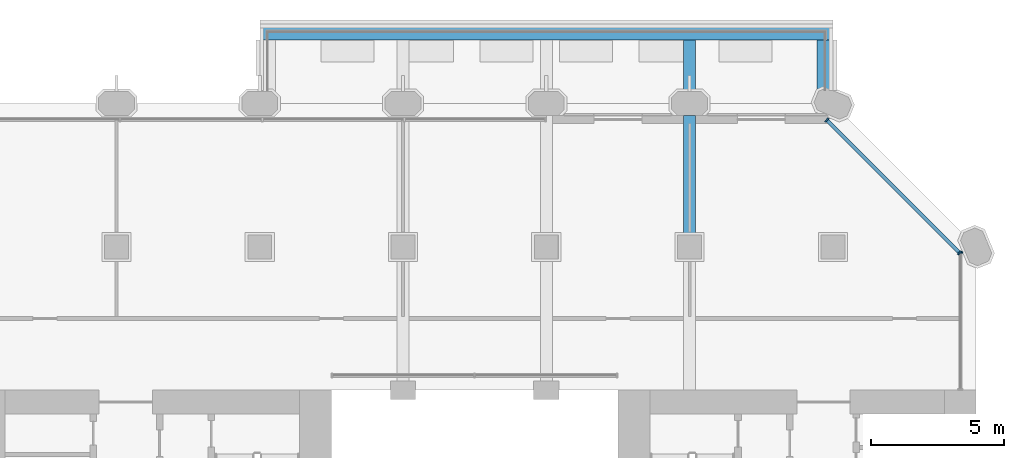
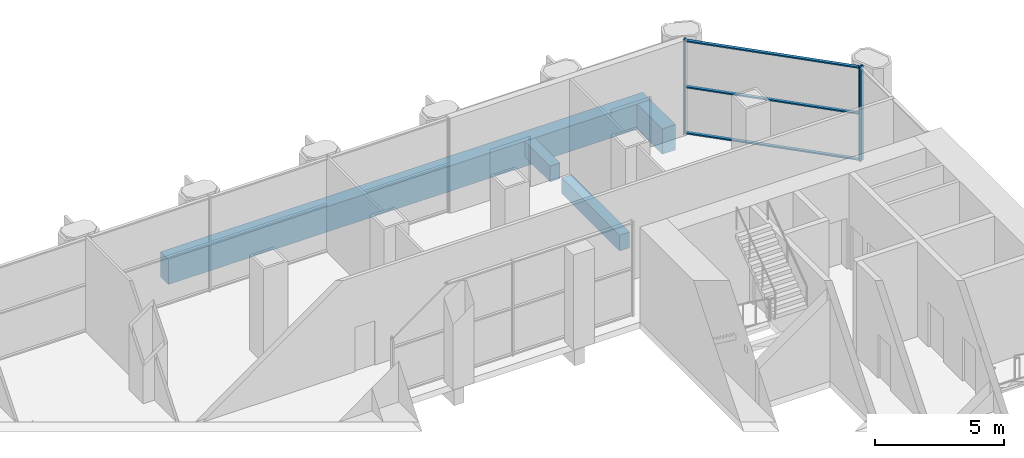
# One storey, part 8 of 15: 6 members, 4 beams, 2 elements without a shape of their own.
"""IFC4 building model written with IfcOpenShell, lengths in metres."""

import ifcopenshell
import ifcopenshell.guid

model = None  # the IFC model being written
_history = None  # IfcOwnerHistory: only IFC2X3 demands one
_inside = {}  # id of a spatial element -> (the spatial element, [elements in it])
_under = {}  # id of a project, library or spatial element -> (it, [spatial elements below it])
_declared = {}  # id of a project -> (the project, [libraries it declares])
_typed = {}  # id of a type object -> (the type object, [elements of that type])
_made_of = {}  # id of a material, layer set ... -> (it, [elements and type objects made of it])


def new_model(schema):
    """Start an empty IFC model of exactly this schema.

    Asked for "IFC4X3", IfcOpenShell would pick the latest addendum, in which some entities
    have other attributes; the version numbers below select the first issue.
    IFC2X3 requires an IfcOwnerHistory on every rooted entity: one is made here for all.
    """
    global model, _history
    if schema == "IFC4X3":
        model = ifcopenshell.file(schema_version=(4, 3, 0, 0))
    else:
        model = ifcopenshell.file(schema=schema)
    _inside.clear()
    _under.clear()
    _declared.clear()
    _typed.clear()
    _made_of.clear()
    _history = None
    if model.schema == "IFC2X3":
        org = make("IfcOrganization", Name="unknown")
        user = make(
            "IfcPersonAndOrganization",
            ThePerson=make("IfcPerson", FamilyName="unknown"),
            TheOrganization=org,
        )
        app = make(
            "IfcApplication",
            ApplicationDeveloper=org,
            Version="unknown",
            ApplicationFullName="unknown",
            ApplicationIdentifier="unknown",
        )
        _history = make(
            "IfcOwnerHistory",
            OwningUser=user,
            OwningApplication=app,
            ChangeAction="ADDED",
            CreationDate=0,
        )
    return model


def make(cls, **values):
    """One entity of the class cls with the attributes given. An attribute that is None is left unset."""
    return model.create_entity(
        cls, **{name: value for name, value in values.items() if value is not None}
    )


def rooted(cls, **values):
    """An entity with a GlobalId (a new one), such as an element, a storey or a relation."""
    return make(cls, GlobalId=ifcopenshell.guid.new(), OwnerHistory=_history, **values)


def si_unit(unit_type, name, prefix=None):
    """IfcSIUnit, for example si_unit("LENGTHUNIT", "METRE", prefix="MILLI")."""
    return make("IfcSIUnit", UnitType=unit_type, Prefix=prefix, Name=name)


def assignment(units):
    """IfcUnitAssignment: the units of a project."""
    return None if units is None else make("IfcUnitAssignment", Units=units)


def point(xyz):
    """IfcCartesianPoint."""
    return None if xyz is None else make("IfcCartesianPoint", Coordinates=xyz)


def direction(xyz):
    """IfcDirection."""
    return None if xyz is None else make("IfcDirection", DirectionRatios=xyz)


def frame(location, z_axis=None, x_axis=None):
    """IfcAxis2Placement3D, a coordinate frame: its origin and axes. An axis left out is left unset."""
    return make(
        "IfcAxis2Placement3D",
        Location=point(location),
        Axis=direction(z_axis),
        RefDirection=direction(x_axis),
    )


def frame_2d(location, x_axis=None):
    """IfcAxis2Placement2D, a coordinate frame in the plane: its origin and x axis."""
    return make(
        "IfcAxis2Placement2D", Location=point(location), RefDirection=direction(x_axis)
    )


def origin():
    """The frame at (0, 0, 0) with its axes left unset."""
    return frame((0.0, 0.0, 0.0))


def origin_2d():
    """The frame at (0, 0) in the plane with its x axis left unset."""
    return frame_2d((0.0, 0.0))


def place(relative_to, where):
    """IfcLocalPlacement: puts the frame where relative to a parent placement (None: the world)."""
    return make(
        "IfcLocalPlacement", PlacementRelTo=relative_to, RelativePlacement=where
    )


def context(
    kind, dimensions, precision=None, world=None, true_north=None, identifier=None
):
    """IfcGeometricRepresentationContext, for example the 3D "Model" context."""
    return make(
        "IfcGeometricRepresentationContext",
        ContextIdentifier=identifier,
        ContextType=kind,
        CoordinateSpaceDimension=dimensions,
        Precision=precision,
        WorldCoordinateSystem=world,
        TrueNorth=true_north,
    )


def subcontext(parent, identifier, kind, view, scale=None):
    """IfcGeometricRepresentationSubContext, for example "Body" below "Model"."""
    return make(
        "IfcGeometricRepresentationSubContext",
        ContextIdentifier=identifier,
        ContextType=kind,
        ParentContext=parent,
        TargetScale=scale,
        TargetView=view,
    )


def project(units=None, contexts=None):
    """IfcProject with its units and contexts."""
    return rooted(
        "IfcProject",
        Name="project",
        RepresentationContexts=contexts,
        UnitsInContext=assignment(units),
    )


def spatial(cls, under=None, at=None, **own):
    """A site, building, storey or space (cls), placed at a placement, below another one or the project."""
    s = rooted(cls, ObjectPlacement=at, **own)
    if under is not None:
        _under.setdefault(under.id(), (under, []))[1].append(s)
    return s


def profile(cls, at=None, kind="AREA", **sizes):
    """A parametric profile (cls). Its sizes go by their IFC names, for example OverallWidth=200.0."""
    return make(cls, ProfileType=kind, Position=at, **sizes)


def rectangle(**sizes):
    """IfcRectangleProfileDef."""
    return profile("IfcRectangleProfileDef", **sizes)


def extrude(swept, where, along, depth):
    """IfcExtrudedAreaSolid: the profile swept, set in the frame where, extruded along a direction by depth."""
    return make(
        "IfcExtrudedAreaSolid",
        SweptArea=swept,
        Position=where,
        ExtrudedDirection=direction(along),
        Depth=depth,
    )


def shape(context_of_items, identifier, shape_type, items):
    """IfcShapeRepresentation: the items that make up one representation, for example the "Body"."""
    return make(
        "IfcShapeRepresentation",
        ContextOfItems=context_of_items,
        RepresentationIdentifier=identifier,
        RepresentationType=shape_type,
        Items=items,
    )


def material(Name=None, Category=None):
    """IfcMaterial."""
    return make("IfcMaterial", Name=Name, Category=Category)


def material_profile(
    of_material, cross_section, Name=None, Category=None, Priority=None
):
    """IfcMaterialProfile: a cross section and its material."""
    return make(
        "IfcMaterialProfile",
        Name=Name,
        Material=of_material,
        Profile=cross_section,
        Priority=Priority,
        Category=Category,
    )


def profile_set(profiles, Name=None, composite=None):
    """IfcMaterialProfileSet."""
    return make(
        "IfcMaterialProfileSet",
        Name=Name,
        MaterialProfiles=profiles,
        CompositeProfile=composite,
    )


def made_of(thing, what):
    """Note that an element or type object is made of a material, layer set ...; save() writes the relation."""
    if what is not None:
        _made_of.setdefault(what.id(), (what, []))[1].append(thing)
    return thing


def type_object(cls, material=None, **own):
    """A type object (cls), such as IfcWallType, which elements share."""
    return made_of(rooted(cls, **own), material)


def element(
    cls,
    number,
    at=None,
    inside=None,
    cuts=None,
    type_object=None,
    material=None,
    context=None,
    identifier="Body",
    shape_type=None,
    held_by="IfcProductDefinitionShape",
    body=None,
    shapes=None,
    **own,
):
    """One element of the class cls, such as IfcWall. Its Tag is "e" and its number.

    at: its placement. inside: the storey or other place that contains it. cuts: it is an
    opening in that element (IfcRelVoidsElement). A single representation is given by context,
    identifier, shape_type and body (its items); several are given by shapes. held_by: the class
    of the entity that holds the representations. save() writes the other relations.
    """
    e = rooted(cls, Tag="e%d" % number, ObjectPlacement=at, **own)
    if body is not None:
        shapes = [shape(context, identifier, shape_type, body)]
    if shapes is not None:
        e.Representation = make(held_by, Representations=shapes)
    if inside is not None:
        _inside.setdefault(inside.id(), (inside, []))[1].append(e)
    if cuts is not None:
        rooted(
            "IfcRelVoidsElement", RelatingBuildingElement=cuts, RelatedOpeningElement=e
        )
    if type_object is not None:
        _typed.setdefault(type_object.id(), (type_object, []))[1].append(e)
    return made_of(e, material)


def aggregate(whole, parts):
    """IfcRelAggregates: a whole, such as a stair, and the parts it consists of."""
    return rooted("IfcRelAggregates", RelatingObject=whole, RelatedObjects=parts)


def save(model, path):
    """Write the relations noted so far, then the file.

    IfcRelAggregates (storeys below a building ...), IfcRelContainedInSpatialStructure (elements
    in a storey), IfcRelDefinesByType, IfcRelAssociatesMaterial and IfcRelDeclares: one each for
    every whole, place, type object, material and project.
    """
    for whole, parts in _under.values():
        aggregate(whole, parts)
    for where, things in _inside.values():
        rooted(
            "IfcRelContainedInSpatialStructure",
            RelatedElements=things,
            RelatingStructure=where,
        )
    for kind, things in _typed.values():
        rooted("IfcRelDefinesByType", RelatedObjects=things, RelatingType=kind)
    for what, things in _made_of.values():
        rooted("IfcRelAssociatesMaterial", RelatedObjects=things, RelatingMaterial=what)
    for by, libraries in _declared.values():
        rooted("IfcRelDeclares", RelatingContext=by, RelatedDefinitions=libraries)
    model.write(path)


model = new_model("IFC4")

# Units and contexts
model_context = context("Model", 3, precision=1e-05, world=origin(), true_north=direction((0.0, 1.0)))
body_context = subcontext(model_context, "Body", "Model", "MODEL_VIEW")
ifc_project = project(units=[si_unit("LENGTHUNIT", "METRE"), si_unit("AREAUNIT", "SQUARE_METRE"), si_unit("VOLUMEUNIT", "CUBIC_METRE"), si_unit("PLANEANGLEUNIT", "RADIAN"), si_unit("MASSUNIT", "GRAM", prefix="KILO")], contexts=[model_context])

# Site, building, storey
site_placement = place(None, origin())
site = spatial("IfcSite", under=ifc_project, at=site_placement, CompositionType="ELEMENT")
building_placement = place(site_placement, origin())
building = spatial("IfcBuilding", under=site, at=building_placement, Name="Tabaq Tower and Sports Hall", CompositionType="ELEMENT")
storey_placement = place(building_placement, frame((0.0, 0.0, 148.0)))
storey = spatial("IfcBuildingStorey", under=building, at=storey_placement, Name="L34", CompositionType="ELEMENT", Elevation=148.0)

# Curtain wall, member
ifc_material_1 = material(Name="Aluminium alloy 6063-T6 framed glazing", Category="aluminium")
curtain_wall_type = type_object("IfcCurtainWallType", Name="CW3 curtain wall", PredefinedType="USERDEFINED", material=ifc_material_1)
curtain_wall_1_placement = place(storey_placement, origin())
curtain_wall_1 = element("IfcCurtainWall", 1, at=curtain_wall_1_placement, inside=storey, type_object=curtain_wall_type, Name="Garden Floor Wall L34 E", ObjectType="GARDEN FLOOR WALL", PredefinedType="USERDEFINED")
ifc_material_2 = material(Name="Aluminium alloy 6063-T6", Category="aluminium")
ifc_material_profile_1 = material_profile(ifc_material_2, rectangle(XDim=0.179931640625, YDim=0.06005859375, at=origin_2d()), Name="MULLION 180x60")
ifc_profile_set_1 = profile_set([ifc_material_profile_1], Name="Aluminium alloy 6063-T6")
member_type_1 = type_object("IfcMemberType", Name="CW3 mullion 180x60", PredefinedType="MULLION", material=ifc_profile_set_1)
member_1_placement = place(storey_placement, frame((42.60009765625, 37.58349609375, 0.0), z_axis=(0.0, 0.0, 1.0), x_axis=(-1.0, 0.0, 0.0)))
member_1 = element("IfcMember", 2, at=member_1_placement, type_object=member_type_1, Name="CW3 mullion 2", PredefinedType="MULLION", context=body_context, shape_type="SweptSolid", body=[
    extrude(rectangle(XDim=0.179931640625, YDim=0.06005859375, at=origin_2d()), origin(), (0.0, 0.0, 1.0), 4.5),
])
aggregate(curtain_wall_1, [member_1])

# Curtain wall, members
curtain_wall_2_placement = place(storey_placement, origin())
curtain_wall_2 = element("IfcCurtainWall", 3, at=curtain_wall_2_placement, inside=storey, type_object=curtain_wall_type, Name="Garden Floor Wall L34 NE", ObjectType="GARDEN FLOOR WALL", PredefinedType="USERDEFINED")
member_2_placement = place(storey_placement, frame((42.578857421875, 37.57275390625, 0.0), z_axis=(0.0, 0.0, 1.0), x_axis=(-0.707106781187, -0.707106781187, 0.0)))
member_2 = element("IfcMember", 4, at=member_2_placement, type_object=member_type_1, Name="CW3 mullion 1", PredefinedType="MULLION", context=body_context, shape_type="SweptSolid", body=[
    extrude(rectangle(XDim=0.179931640625, YDim=0.06005859375, at=origin_2d()), origin(), (0.0, 0.0, 1.0), 4.5),
])
member_3_placement = place(storey_placement, frame((37.57275390625, 42.578857421875, 0.0), z_axis=(0.0, 0.0, 1.0), x_axis=(-0.707106781187, -0.707106781187, 0.0)))
member_3 = element("IfcMember", 5, at=member_3_placement, type_object=member_type_1, Name="CW3 mullion 2", PredefinedType="MULLION", context=body_context, shape_type="SweptSolid", body=[
    extrude(rectangle(XDim=0.179931640625, YDim=0.06005859375, at=origin_2d()), origin(), (0.0, 0.0, 1.0), 4.5),
])
ifc_material_3 = material(Name="Aluminium alloy 6063-T6", Category="aluminium")
ifc_material_profile_2 = material_profile(ifc_material_3, rectangle(XDim=0.139892578125, YDim=0.06005859375, at=origin_2d()), Name="TRANSOM 140x60")
ifc_profile_set_2 = profile_set([ifc_material_profile_2], Name="Aluminium alloy 6063-T6")
member_type_2 = type_object("IfcMemberType", Name="CW3 transom 140x60", PredefinedType="USERDEFINED", material=ifc_profile_set_2)
member_4_placement = place(storey_placement, frame((42.5576171875, 37.593994140625, 0.070068359375), z_axis=(-0.707106781187, 0.707106781187, 0.0), x_axis=(-0.707106781187, -0.707106781187, 0.0)))
member_4 = element("IfcMember", 6, at=member_4_placement, type_object=member_type_2, Name="CW3 transom 1.1", ObjectType="TRANSOM", PredefinedType="USERDEFINED", context=body_context, shape_type="SweptSolid", body=[
    extrude(rectangle(XDim=0.139892578125, YDim=0.06005859375, at=origin_2d()), origin(), (0.0, 0.0, 1.0), 7.01953125),
])
member_5_placement = place(storey_placement, frame((42.5576171875, 37.593994140625, 2.25), z_axis=(-0.707106781187, 0.707106781187, 0.0), x_axis=(-0.707106781187, -0.707106781187, 0.0)))
member_5 = element("IfcMember", 7, at=member_5_placement, type_object=member_type_2, Name="CW3 transom 1.2", ObjectType="TRANSOM", PredefinedType="USERDEFINED", context=body_context, shape_type="SweptSolid", body=[
    extrude(rectangle(XDim=0.139892578125, YDim=0.06005859375, at=origin_2d()), origin(), (0.0, 0.0, 1.0), 7.01953125),
])
member_6_placement = place(storey_placement, frame((42.5576171875, 37.593994140625, 4.429931640625), z_axis=(-0.707106781187, 0.707106781187, 0.0), x_axis=(-0.707106781187, -0.707106781187, 0.0)))
member_6 = element("IfcMember", 8, at=member_6_placement, type_object=member_type_2, Name="CW3 transom 1.3", ObjectType="TRANSOM", PredefinedType="USERDEFINED", context=body_context, shape_type="SweptSolid", body=[
    extrude(rectangle(XDim=0.139892578125, YDim=0.06005859375, at=origin_2d()), origin(), (0.0, 0.0, 1.0), 7.01953125),
])
aggregate(curtain_wall_2, [member_2, member_3, member_4, member_5, member_6])

# Beams
ifc_material_4 = material(Name="Concrete C40/50", Category="concrete")
ifc_material_profile_3 = material_profile(ifc_material_4, rectangle(XDim=0.60009765625, YDim=1.199951171875, at=origin_2d()), Name="EBT 600x1200")
ifc_profile_set_3 = profile_set([ifc_material_profile_3], Name="Concrete C40/50")
beam_type_1 = type_object("IfcBeamType", Name="Concrete C40/50 PT edge band EBT 600x1200", PredefinedType="BEAM", material=ifc_profile_set_3)
beam_1_placement = place(storey_placement, frame((37.800048828125, 45.89990234375, -0.89990234375), z_axis=(-1.0, 0.0, 0.0), x_axis=(0.0, -1.0, 0.0)))
element("IfcBeam", 9, at=beam_1_placement, inside=storey, type_object=beam_type_1, Name="Tray edge band L34", PredefinedType="BEAM", context=body_context, shape_type="SweptSolid", body=[
    extrude(rectangle(XDim=0.60009765625, YDim=1.199951171875, at=origin_2d()), origin(), (0.0, 0.0, 1.0), 21.60009765625),
])
beam_2_placement = place(storey_placement, frame((37.5, 43.64990234375, -0.89990234375), z_axis=(0.0, 1.0, 0.0), x_axis=(-1.0, 0.0, 0.0)))
element("IfcBeam", 10, at=beam_2_placement, inside=storey, type_object=beam_type_1, Name="Tray edge band L34", PredefinedType="BEAM", context=body_context, shape_type="SweptSolid", body=[
    extrude(rectangle(XDim=0.60009765625, YDim=1.199951171875, at=origin_2d()), origin(), (0.0, 0.0, 1.0), 1.9501953125),
])
ifc_material_5 = material(Name="Concrete C40/50", Category="concrete")
ifc_material_profile_4 = material_profile(ifc_material_5, rectangle(XDim=0.449951171875, YDim=0.75, at=origin_2d()), Name="CB 450x750")
ifc_profile_set_4 = profile_set([ifc_material_profile_4], Name="Concrete C40/50")
beam_type_2 = type_object("IfcBeamType", Name="PT CANTILEVER BEAM CB 450x750 C40/50", PredefinedType="BEAM", material=ifc_profile_set_4)
beam_3_placement = place(storey_placement, frame((32.39990234375, 45.60009765625, -0.675048828125), z_axis=(0.0, -1.0, 0.0), x_axis=(1.0, 0.0, 0.0)))
element("IfcBeam", 11, at=beam_3_placement, inside=storey, type_object=beam_type_2, Name="Tray Cantilever Beam L34 T1 span 1", PredefinedType="BEAM", context=body_context, shape_type="SweptSolid", body=[
    extrude(rectangle(XDim=0.449951171875, YDim=0.75, at=origin_2d()), origin(), (0.0, 0.0, 1.0), 1.9501953125),
])
beam_4_placement = place(storey_placement, frame((32.39990234375, 42.75, -0.675048828125), z_axis=(0.0, -1.0, 0.0), x_axis=(1.0, 0.0, 0.0)))
element("IfcBeam", 12, at=beam_4_placement, inside=storey, type_object=beam_type_2, Name="Tray Cantilever Beam L34 T1 span 2", PredefinedType="BEAM", context=body_context, shape_type="SweptSolid", body=[
    extrude(rectangle(XDim=0.449951171875, YDim=0.75, at=origin_2d()), origin(), (0.0, 0.0, 1.0), 4.5),
])

save(model, "model.ifc")
